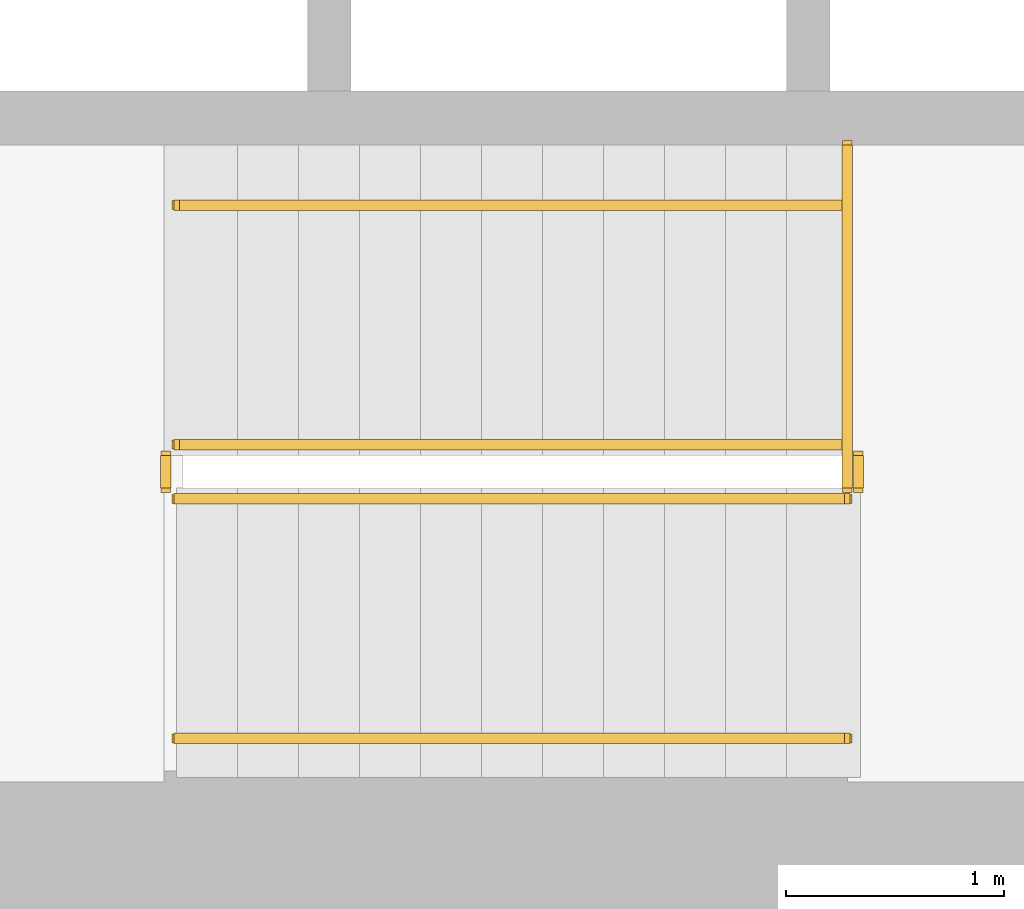
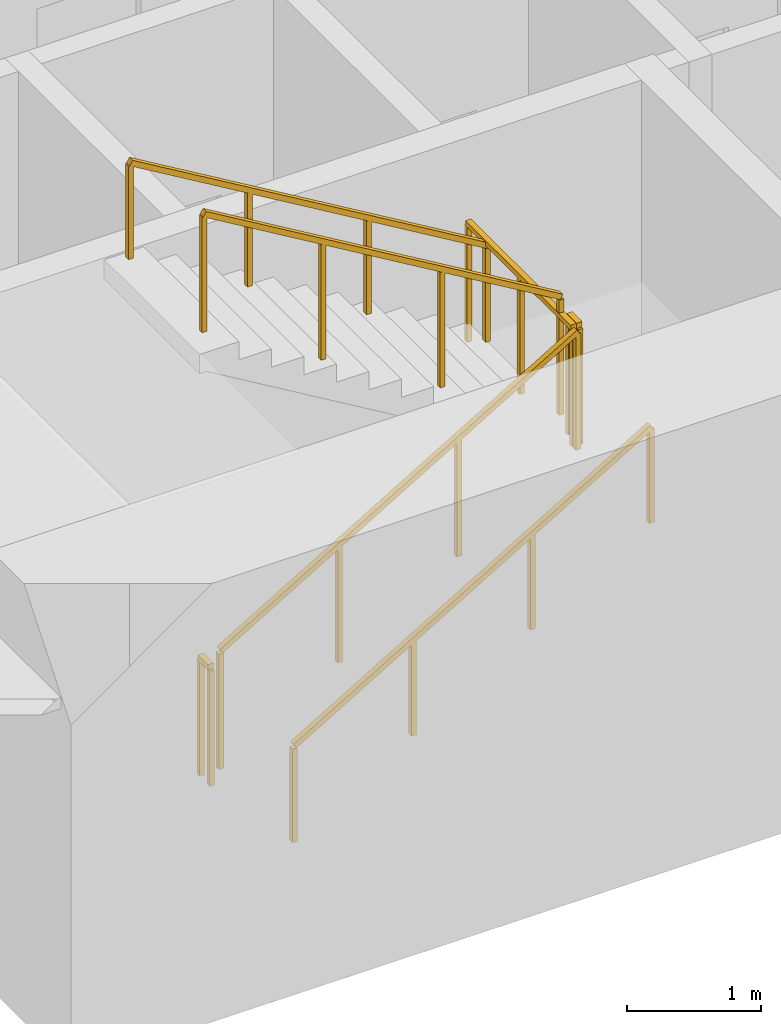
# One storey, part 13 of 16: 7 railings.
"""IFC4 building model written with IfcOpenShell, lengths in metres."""

from ifc_helpers import new_model, si_unit, direction, frame, origin, origin_2d, place, context, subcontext, project, spatial, rectangle, extrude, material, type_object, element, save


model = new_model("IFC4")

# Units and contexts
model_context = context("Model", 3, precision=1e-05, world=origin(), true_north=direction((0.0, 1.0)))
body_context = subcontext(model_context, "Body", "Model", "MODEL_VIEW")
ifc_project = project(units=[si_unit("LENGTHUNIT", "METRE"), si_unit("AREAUNIT", "SQUARE_METRE"), si_unit("VOLUMEUNIT", "CUBIC_METRE"), si_unit("PLANEANGLEUNIT", "RADIAN"), si_unit("MASSUNIT", "GRAM", prefix="KILO")], contexts=[model_context])

# Site, building, storey
site_placement = place(None, origin())
site = spatial("IfcSite", under=ifc_project, at=site_placement, CompositionType="ELEMENT")
building_placement = place(site_placement, origin())
building = spatial("IfcBuilding", under=site, at=building_placement, Name="Sennacour Bend Tower", CompositionType="ELEMENT")
storey_placement = place(building_placement, frame((0.0, 0.0, 57.0)))
storey = spatial("IfcBuildingStorey", under=building, at=storey_placement, Name="L12", CompositionType="ELEMENT", Elevation=57.0)

# Railings
ifc_material = material(Name="Stainless steel", Category="steel")
railing_type_1 = type_object("IfcRailingType", Name="RL-GUARD-1100", PredefinedType="GUARDRAIL", material=ifc_material)
railing_1_placement = place(storey_placement, frame((56.699951171875, 2.449951171875, 0.166748046875)))
element("IfcRailing", 1, at=railing_1_placement, inside=storey, type_object=railing_type_1, Name="L12 SA1 stair guard 1", PredefinedType="GUARDRAIL", context=body_context, shape_type="SweptSolid", body=[
    extrude(rectangle(XDim=0.048095703125, YDim=0.048095703125, at=origin_2d()), frame((0.0, 0.0, 1.076171875), z_axis=(0.859308565015, 0.0, 0.511457515432), x_axis=(0.0, 1.0, 0.0)), (0.0, 0.0, 1.0), 3.58447265625),
    extrude(rectangle(XDim=0.0419921875, YDim=0.0419921875, at=origin_2d()), origin(), (0.0, 0.0, 1.0), 1.052001953125),
    extrude(rectangle(XDim=0.0419921875, YDim=0.0419921875, at=origin_2d()), frame((1.026611328125, 0.0, 0.611083984375)), (0.0, 0.0, 1.0), 1.052001953125),
    extrude(rectangle(XDim=0.0419921875, YDim=0.0419921875, at=origin_2d()), frame((2.053466796875, 0.0, 1.22216796875)), (0.0, 0.0, 1.0), 1.052001953125),
    extrude(rectangle(XDim=0.0419921875, YDim=0.0419921875, at=origin_2d()), frame((3.080078125, 0.0, 1.833251953125)), (0.0, 0.0, 1.0), 1.052001953125),
])
railing_2_placement = place(storey_placement, frame((59.830078125, 2.5, 2.0)))
element("IfcRailing", 2, at=railing_2_placement, inside=storey, type_object=railing_type_1, Name="L12 SA1 stair guard 2", PredefinedType="GUARDRAIL", context=body_context, shape_type="SweptSolid", body=[
    extrude(rectangle(XDim=0.048095703125, YDim=0.048095703125, at=origin_2d()), frame((0.0, 0.0, 1.076171875), z_axis=(0.0, 1.0, 0.0), x_axis=(-1.0, 0.0, 0.0)), (0.0, 0.0, 1.0), 0.14990234375),
    extrude(rectangle(XDim=0.0419921875, YDim=0.0419921875, at=origin_2d()), origin(), (0.0, 0.0, 1.0), 1.052001953125),
    extrude(rectangle(XDim=0.0419921875, YDim=0.0419921875, at=origin_2d()), frame((0.0, 0.14990234375, 0.0)), (0.0, 0.0, 1.0), 1.052001953125),
])
railing_3_placement = place(storey_placement, frame((59.780029296875, 2.699951171875, 2.166748046875)))
element("IfcRailing", 3, at=railing_3_placement, inside=storey, type_object=railing_type_1, Name="L12 SA1 stair guard 4", PredefinedType="GUARDRAIL", context=body_context, shape_type="SweptSolid", body=[
    extrude(rectangle(XDim=0.048095703125, YDim=0.048095703125, at=origin_2d()), frame((0.0, 0.0, 1.076171875), z_axis=(-0.859308565015, 0.0, 0.511457515432), x_axis=(0.0, -1.0, 0.0)), (0.0, 0.0, 1.0), 3.58447265625),
    extrude(rectangle(XDim=0.0419921875, YDim=0.0419921875, at=origin_2d()), origin(), (0.0, 0.0, 1.0), 1.052001953125),
    extrude(rectangle(XDim=0.0419921875, YDim=0.0419921875, at=origin_2d()), frame((-1.026611328125, 0.0, 0.611083984375)), (0.0, 0.0, 1.0), 1.052001953125),
    extrude(rectangle(XDim=0.0419921875, YDim=0.0419921875, at=origin_2d()), frame((-2.053466796875, 0.0, 1.22216796875)), (0.0, 0.0, 1.0), 1.052001953125),
    extrude(rectangle(XDim=0.0419921875, YDim=0.0419921875, at=origin_2d()), frame((-3.080078125, 0.0, 1.833251953125)), (0.0, 0.0, 1.0), 1.052001953125),
])
railing_4_placement = place(storey_placement, frame((56.64990234375, 2.5, 0.0)))
element("IfcRailing", 4, at=railing_4_placement, inside=storey, type_object=railing_type_1, Name="L12 SA1 stair guard 5", PredefinedType="GUARDRAIL", context=body_context, shape_type="SweptSolid", body=[
    extrude(rectangle(XDim=0.048095703125, YDim=0.048095703125, at=origin_2d()), frame((0.0, 0.0, 1.076171875), z_axis=(0.0, 1.0, 0.0), x_axis=(-1.0, 0.0, 0.0)), (0.0, 0.0, 1.0), 0.14990234375),
    extrude(rectangle(XDim=0.0419921875, YDim=0.0419921875, at=origin_2d()), origin(), (0.0, 0.0, 1.0), 1.052001953125),
    extrude(rectangle(XDim=0.0419921875, YDim=0.0419921875, at=origin_2d()), frame((0.0, 0.14990234375, 0.0)), (0.0, 0.0, 1.0), 1.052001953125),
])
railing_5_placement = place(storey_placement, frame((59.780029296875, 2.5, 2.0)))
element("IfcRailing", 5, at=railing_5_placement, inside=storey, type_object=railing_type_1, Name="L12 SA1 landing edge guard 27", PredefinedType="GUARDRAIL", context=body_context, shape_type="SweptSolid", body=[
    extrude(rectangle(XDim=0.048095703125, YDim=0.048095703125, at=origin_2d()), frame((0.0, 0.0, 1.076171875), z_axis=(0.0, 1.0, 0.0), x_axis=(-1.0, 0.0, 0.0)), (0.0, 0.0, 1.0), 1.574951171875),
    extrude(rectangle(XDim=0.0419921875, YDim=0.0419921875, at=origin_2d()), origin(), (0.0, 0.0, 1.0), 1.052001953125),
    extrude(rectangle(XDim=0.0419921875, YDim=0.0419921875, at=origin_2d()), frame((0.0, 0.78759765625, 0.0)), (0.0, 0.0, 1.0), 1.052001953125),
    extrude(rectangle(XDim=0.0419921875, YDim=0.0419921875, at=origin_2d()), frame((0.0, 1.574951171875, 0.0)), (0.0, 0.0, 1.0), 1.052001953125),
])
railing_type_2 = type_object("IfcRailingType", Name="RL-HANDRAIL-900", PredefinedType="HANDRAIL", material=ifc_material)
railing_6_placement = place(storey_placement, frame((56.699951171875, 1.35009765625, 0.166748046875)))
element("IfcRailing", 6, at=railing_6_placement, inside=storey, type_object=railing_type_2, Name="L12 SA1 stair handrail 1", PredefinedType="HANDRAIL", context=body_context, shape_type="SweptSolid", body=[
    extrude(rectangle(XDim=0.048095703125, YDim=0.048095703125, at=origin_2d()), frame((0.0, 0.0, 0.8759765625), z_axis=(0.859308565015, 0.0, 0.511457515432), x_axis=(0.0, 1.0, 0.0)), (0.0, 0.0, 1.0), 3.58447265625),
    extrude(rectangle(XDim=0.0419921875, YDim=0.0419921875, at=origin_2d()), origin(), (0.0, 0.0, 1.0), 0.851806640625),
    extrude(rectangle(XDim=0.0419921875, YDim=0.0419921875, at=origin_2d()), frame((1.026611328125, 0.0, 0.611083984375)), (0.0, 0.0, 1.0), 0.851806640625),
    extrude(rectangle(XDim=0.0419921875, YDim=0.0419921875, at=origin_2d()), frame((2.053466796875, 0.0, 1.22216796875)), (0.0, 0.0, 1.0), 0.851806640625),
    extrude(rectangle(XDim=0.0419921875, YDim=0.0419921875, at=origin_2d()), frame((3.080078125, 0.0, 1.833251953125)), (0.0, 0.0, 1.0), 0.851806640625),
])
railing_7_placement = place(storey_placement, frame((59.780029296875, 3.800048828125, 2.166748046875)))
element("IfcRailing", 7, at=railing_7_placement, inside=storey, type_object=railing_type_2, Name="L12 SA1 stair handrail 2", PredefinedType="HANDRAIL", context=body_context, shape_type="SweptSolid", body=[
    extrude(rectangle(XDim=0.048095703125, YDim=0.048095703125, at=origin_2d()), frame((0.0, 0.0, 0.8759765625), z_axis=(-0.859308565015, 0.0, 0.511457515432), x_axis=(0.0, -1.0, 0.0)), (0.0, 0.0, 1.0), 3.58447265625),
    extrude(rectangle(XDim=0.0419921875, YDim=0.0419921875, at=origin_2d()), origin(), (0.0, 0.0, 1.0), 0.851806640625),
    extrude(rectangle(XDim=0.0419921875, YDim=0.0419921875, at=origin_2d()), frame((-1.026611328125, 0.0, 0.611083984375)), (0.0, 0.0, 1.0), 0.851806640625),
    extrude(rectangle(XDim=0.0419921875, YDim=0.0419921875, at=origin_2d()), frame((-2.053466796875, 0.0, 1.22216796875)), (0.0, 0.0, 1.0), 0.851806640625),
    extrude(rectangle(XDim=0.0419921875, YDim=0.0419921875, at=origin_2d()), frame((-3.080078125, 0.0, 1.833251953125)), (0.0, 0.0, 1.0), 0.851806640625),
])

save(model, "model.ifc")
